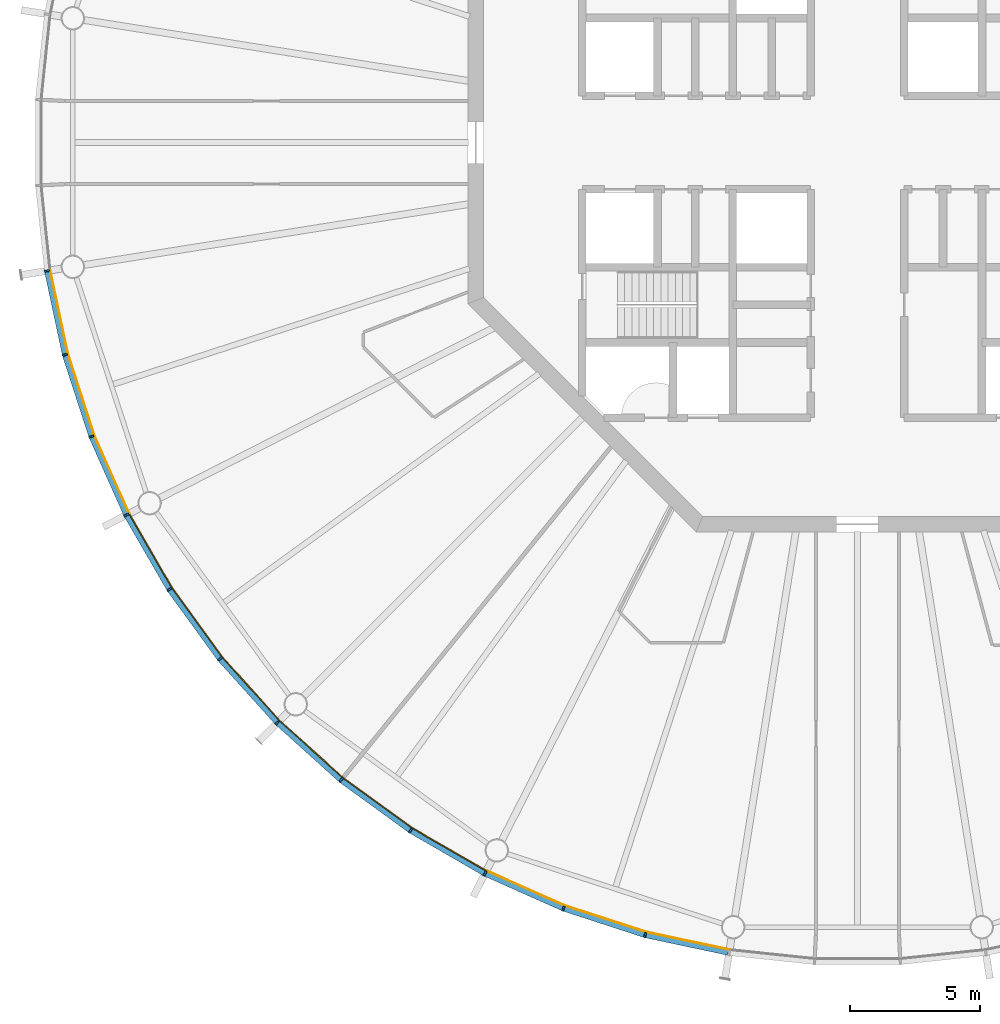
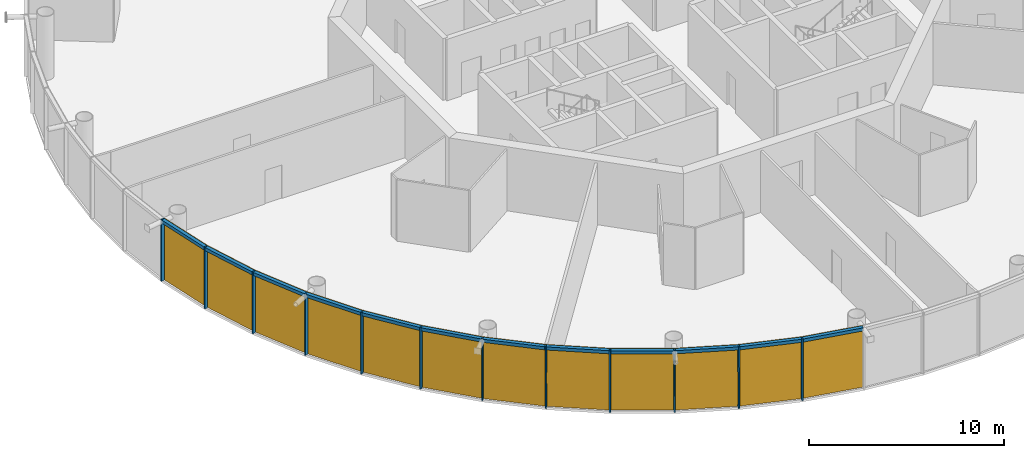
# One storey, part 13 of 19: 24 members, 4 curtain walls.
"""IFC4 building model written with IfcOpenShell, lengths in metres."""

from ifc_helpers import new_model, si_unit, direction, frame, origin, origin_2d, place, context, subcontext, project, spatial, polyline, rectangle, outline, extrude, material, layer, layer_set, material_profile, profile_set, type_object, element, aggregate, save


model = new_model("IFC4")

# Units and contexts
model_context = context("Model", 3, precision=1e-05, world=origin(), true_north=direction((0.0, 1.0)))
body_context = subcontext(model_context, "Body", "Model", "MODEL_VIEW")
ifc_project = project(units=[si_unit("LENGTHUNIT", "METRE"), si_unit("AREAUNIT", "SQUARE_METRE"), si_unit("VOLUMEUNIT", "CUBIC_METRE"), si_unit("PLANEANGLEUNIT", "RADIAN"), si_unit("MASSUNIT", "GRAM", prefix="KILO")], contexts=[model_context])

# Member
ifc_material_1 = material(Name="Anodised aluminium", Category="aluminium")
ifc_material_profile_1 = material_profile(ifc_material_1, rectangle(XDim=0.070068359375, YDim=0.205078125, at=origin_2d()), Name="Mullion 70 x 205 mm anodised aluminium")
ifc_profile_set_1 = profile_set([ifc_material_profile_1], Name="Anodised aluminium")
member_type_1 = type_object("IfcMemberType", Name="Mullion 70 x 205 mm anodised aluminium", PredefinedType="MULLION", material=ifc_profile_set_1)
site_placement = place(None, origin())
building_placement = place(site_placement, origin())
storey_placement = place(building_placement, frame((0.0, 0.0, 368.0)))
member_1_placement = place(storey_placement, frame((58.78662109375, 75.056396484375, 0.0), z_axis=(0.0, 0.0, 1.0), x_axis=(0.15643446504, -0.987688340595, 0.0)))
member_1 = element("IfcMember", 1, at=member_1_placement, type_object=member_type_1, Name="MULLION L85-30", PredefinedType="MULLION", context=body_context, shape_type="SweptSolid", body=[
    extrude(rectangle(XDim=0.070068359375, YDim=0.205078125, at=origin_2d()), origin(), (0.0, 0.0, 1.0), 3.85009765625),
])

member_2_placement = place(storey_placement, frame((59.474365234375, 71.820556640625, 0.0), z_axis=(0.0, 0.0, 1.0), x_axis=(0.258819045103, -0.965925826289, 0.0)))
member_2 = element("IfcMember", 2, at=member_2_placement, type_object=member_type_1, Name="MULLION L85-31", PredefinedType="MULLION", context=body_context, shape_type="SweptSolid", body=[
    extrude(rectangle(XDim=0.070068359375, YDim=0.205078125, at=origin_2d()), origin(), (0.0, 0.0, 1.0), 3.85009765625),
])

member_3_placement = place(storey_placement, frame((60.49658203125, 68.674560546875, 0.0), z_axis=(0.0, 0.0, 1.0), x_axis=(0.358367949545, -0.933580426497, 0.0)))
member_3 = element("IfcMember", 3, at=member_3_placement, type_object=member_type_1, Name="MULLION L85-32", PredefinedType="MULLION", context=body_context, shape_type="SweptSolid", body=[
    extrude(rectangle(XDim=0.070068359375, YDim=0.205078125, at=origin_2d()), origin(), (0.0, 0.0, 1.0), 3.85009765625),
])

member_4_placement = place(storey_placement, frame((61.842041015625, 65.65283203125, 0.0), z_axis=(0.0, 0.0, 1.0), x_axis=(0.45399049974, -0.891006524188, 0.0)))
member_4 = element("IfcMember", 4, at=member_4_placement, type_object=member_type_1, Name="MULLION L85-33", PredefinedType="MULLION", context=body_context, shape_type="SweptSolid", body=[
    extrude(rectangle(XDim=0.070068359375, YDim=0.205078125, at=origin_2d()), origin(), (0.0, 0.0, 1.0), 3.85009765625),
])

member_5_placement = place(storey_placement, frame((63.495849609375, 62.7880859375, 0.0), z_axis=(0.0, 0.0, 1.0), x_axis=(0.544639035015, -0.838670567945, 0.0)))
member_5 = element("IfcMember", 5, at=member_5_placement, type_object=member_type_1, Name="MULLION L85-34", PredefinedType="MULLION", context=body_context, shape_type="SweptSolid", body=[
    extrude(rectangle(XDim=0.070068359375, YDim=0.205078125, at=origin_2d()), origin(), (0.0, 0.0, 1.0), 3.85009765625),
])

member_6_placement = place(storey_placement, frame((65.440185546875, 60.11181640625, 0.0), z_axis=(0.0, 0.0, 1.0), x_axis=(0.62932039105, -0.777145961457, 0.0)))
member_6 = element("IfcMember", 6, at=member_6_placement, type_object=member_type_1, Name="MULLION L85-35", PredefinedType="MULLION", context=body_context, shape_type="SweptSolid", body=[
    extrude(rectangle(XDim=0.070068359375, YDim=0.205078125, at=origin_2d()), origin(), (0.0, 0.0, 1.0), 3.85009765625),
])

member_7_placement = place(storey_placement, frame((67.653564453125, 57.653564453125, 0.0), z_axis=(0.0, 0.0, 1.0), x_axis=(0.707106781187, -0.707106781187, 0.0)))
member_7 = element("IfcMember", 7, at=member_7_placement, type_object=member_type_1, Name="MULLION L85-36", PredefinedType="MULLION", context=body_context, shape_type="SweptSolid", body=[
    extrude(rectangle(XDim=0.070068359375, YDim=0.205078125, at=origin_2d()), origin(), (0.0, 0.0, 1.0), 3.85009765625),
])

member_8_placement = place(storey_placement, frame((70.11181640625, 55.440185546875, 0.0), z_axis=(0.0, 0.0, 1.0), x_axis=(0.777145961457, -0.62932039105, 0.0)))
member_8 = element("IfcMember", 8, at=member_8_placement, type_object=member_type_1, Name="MULLION L85-37", PredefinedType="MULLION", context=body_context, shape_type="SweptSolid", body=[
    extrude(rectangle(XDim=0.070068359375, YDim=0.205078125, at=origin_2d()), origin(), (0.0, 0.0, 1.0), 3.85009765625),
])

member_9_placement = place(storey_placement, frame((72.7880859375, 53.495849609375, 0.0), z_axis=(0.0, 0.0, 1.0), x_axis=(0.838670567945, -0.544639035015, 0.0)))
member_9 = element("IfcMember", 9, at=member_9_placement, type_object=member_type_1, Name="MULLION L85-38", PredefinedType="MULLION", context=body_context, shape_type="SweptSolid", body=[
    extrude(rectangle(XDim=0.070068359375, YDim=0.205078125, at=origin_2d()), origin(), (0.0, 0.0, 1.0), 3.85009765625),
])

member_10_placement = place(storey_placement, frame((75.65283203125, 51.842041015625, 0.0), z_axis=(0.0, 0.0, 1.0), x_axis=(0.891006524188, -0.45399049974, 0.0)))
member_10 = element("IfcMember", 10, at=member_10_placement, type_object=member_type_1, Name="MULLION L85-39", PredefinedType="MULLION", context=body_context, shape_type="SweptSolid", body=[
    extrude(rectangle(XDim=0.070068359375, YDim=0.205078125, at=origin_2d()), origin(), (0.0, 0.0, 1.0), 3.85009765625),
])

member_11_placement = place(storey_placement, frame((78.674560546875, 50.49658203125, 0.0), z_axis=(0.0, 0.0, 1.0), x_axis=(0.933580426497, -0.358367949545, 0.0)))
member_11 = element("IfcMember", 11, at=member_11_placement, type_object=member_type_1, Name="MULLION L85-40", PredefinedType="MULLION", context=body_context, shape_type="SweptSolid", body=[
    extrude(rectangle(XDim=0.070068359375, YDim=0.205078125, at=origin_2d()), origin(), (0.0, 0.0, 1.0), 3.85009765625),
])

member_12_placement = place(storey_placement, frame((81.820556640625, 49.474365234375, 0.0), z_axis=(0.0, 0.0, 1.0), x_axis=(0.965925826289, -0.258819045103, 0.0)))
member_12 = element("IfcMember", 12, at=member_12_placement, type_object=member_type_1, Name="MULLION L85-41", PredefinedType="MULLION", context=body_context, shape_type="SweptSolid", body=[
    extrude(rectangle(XDim=0.070068359375, YDim=0.205078125, at=origin_2d()), origin(), (0.0, 0.0, 1.0), 3.85009765625),
])

ifc_material_2 = material(Name="Anodised aluminium", Category="aluminium")
ifc_material_profile_2 = material_profile(ifc_material_2, rectangle(XDim=0.205078125, YDim=0.195068359375, at=origin_2d()), Name="Transom 195 x 205 mm anodised aluminium")
ifc_profile_set_2 = profile_set([ifc_material_profile_2], Name="Anodised aluminium")
member_type_2 = type_object("IfcMemberType", Name="Transom 195 x 205 mm anodised aluminium", PredefinedType="USERDEFINED", material=ifc_profile_set_2)
member_13_placement = place(storey_placement, frame((58.794921875, 75.016845703125, 3.75244140625), z_axis=(0.207885898771, -0.978153082647, 0.0), x_axis=(0.978153082647, 0.207885898771, 0.0)))
member_13 = element("IfcMember", 13, at=member_13_placement, type_object=member_type_2, Name="TRANSOM L85-30", ObjectType="TRANSOM", PredefinedType="USERDEFINED", context=body_context, shape_type="SweptSolid", body=[
    extrude(rectangle(XDim=0.205078125, YDim=0.195068359375, at=origin_2d()), origin(), (0.0, 0.0, 1.0), 3.227294921875),
])

member_14_placement = place(storey_placement, frame((59.486572265625, 71.7822265625, 3.75244140625), z_axis=(0.309046726844, -0.951046855117, 0.0), x_axis=(0.951046855117, 0.309046726844, 0.0)))
member_14 = element("IfcMember", 14, at=member_14_placement, type_object=member_type_2, Name="TRANSOM L85-31", ObjectType="TRANSOM", PredefinedType="USERDEFINED", context=body_context, shape_type="SweptSolid", body=[
    extrude(rectangle(XDim=0.205078125, YDim=0.195068359375, at=origin_2d()), origin(), (0.0, 0.0, 1.0), 3.22705078125),
])

member_15_placement = place(storey_placement, frame((60.5126953125, 68.6376953125, 3.75244140625), z_axis=(0.406791170024, -0.913521178731, 0.0), x_axis=(0.913521178731, 0.406791170024, 0.0)))
member_15 = element("IfcMember", 15, at=member_15_placement, type_object=member_type_2, Name="TRANSOM L85-32", ObjectType="TRANSOM", PredefinedType="USERDEFINED", context=body_context, shape_type="SweptSolid", body=[
    extrude(rectangle(XDim=0.205078125, YDim=0.195068359375, at=origin_2d()), origin(), (0.0, 0.0, 1.0), 3.22705078125),
])

member_16_placement = place(storey_placement, frame((61.862060546875, 65.61767578125, 3.75244140625), z_axis=(0.500004055213, -0.866023062494, 0.0), x_axis=(0.866023062494, 0.500004055213, 0.0)))
member_16 = element("IfcMember", 16, at=member_16_placement, type_object=member_type_2, Name="TRANSOM L85-33", ObjectType="TRANSOM", PredefinedType="USERDEFINED", context=body_context, shape_type="SweptSolid", body=[
    extrude(rectangle(XDim=0.205078125, YDim=0.195068359375, at=origin_2d()), origin(), (0.0, 0.0, 1.0), 3.22705078125),
])

member_17_placement = place(storey_placement, frame((63.51953125, 62.75537109375, 3.75244140625), z_axis=(0.587802790201, -0.809004252048, 0.0), x_axis=(0.809004252048, 0.587802790201, 0.0)))
member_17 = element("IfcMember", 17, at=member_17_placement, type_object=member_type_2, Name="TRANSOM L85-34", ObjectType="TRANSOM", PredefinedType="USERDEFINED", context=body_context, shape_type="SweptSolid", body=[
    extrude(rectangle(XDim=0.205078125, YDim=0.195068359375, at=origin_2d()), origin(), (0.0, 0.0, 1.0), 3.227294921875),
])

member_18_placement = place(storey_placement, frame((65.467041015625, 60.081787109375, 3.75244140625), z_axis=(0.669144438484, -0.743132370743, 0.0), x_axis=(0.743132370743, 0.669144438484, 0.0)))
member_18 = element("IfcMember", 18, at=member_18_placement, type_object=member_type_2, Name="TRANSOM L85-35", ObjectType="TRANSOM", PredefinedType="USERDEFINED", context=body_context, shape_type="SweptSolid", body=[
    extrude(rectangle(XDim=0.205078125, YDim=0.195068359375, at=origin_2d()), origin(), (0.0, 0.0, 1.0), 3.22705078125),
])

member_19_placement = place(storey_placement, frame((67.68359375, 57.62646484375, 3.75244140625), z_axis=(0.743132370743, -0.669144438484, 0.0), x_axis=(0.669144438484, 0.743132370743, 0.0)))
member_19 = element("IfcMember", 19, at=member_19_placement, type_object=member_type_2, Name="TRANSOM L85-36", ObjectType="TRANSOM", PredefinedType="USERDEFINED", context=body_context, shape_type="SweptSolid", body=[
    extrude(rectangle(XDim=0.205078125, YDim=0.195068359375, at=origin_2d()), origin(), (0.0, 0.0, 1.0), 3.22705078125),
])

member_20_placement = place(storey_placement, frame((70.14453125, 55.41650390625, 3.75244140625), z_axis=(0.809004252048, -0.587802790201, 0.0), x_axis=(0.587802790201, 0.809004252048, 0.0)))
member_20 = element("IfcMember", 20, at=member_20_placement, type_object=member_type_2, Name="TRANSOM L85-37", ObjectType="TRANSOM", PredefinedType="USERDEFINED", context=body_context, shape_type="SweptSolid", body=[
    extrude(rectangle(XDim=0.205078125, YDim=0.195068359375, at=origin_2d()), origin(), (0.0, 0.0, 1.0), 3.227294921875),
])

member_21_placement = place(storey_placement, frame((72.822998046875, 53.4755859375, 3.75244140625), z_axis=(0.866023062494, -0.500004055213, 0.0), x_axis=(0.500004055213, 0.866023062494, 0.0)))
member_21 = element("IfcMember", 21, at=member_21_placement, type_object=member_type_2, Name="TRANSOM L85-38", ObjectType="TRANSOM", PredefinedType="USERDEFINED", context=body_context, shape_type="SweptSolid", body=[
    extrude(rectangle(XDim=0.205078125, YDim=0.195068359375, at=origin_2d()), origin(), (0.0, 0.0, 1.0), 3.22705078125),
])

member_22_placement = place(storey_placement, frame((75.689697265625, 51.825439453125, 3.75244140625), z_axis=(0.913521178731, -0.406791170024, 0.0), x_axis=(0.406791170024, 0.913521178731, 0.0)))
member_22 = element("IfcMember", 22, at=member_22_placement, type_object=member_type_2, Name="TRANSOM L85-39", ObjectType="TRANSOM", PredefinedType="USERDEFINED", context=body_context, shape_type="SweptSolid", body=[
    extrude(rectangle(XDim=0.205078125, YDim=0.195068359375, at=origin_2d()), origin(), (0.0, 0.0, 1.0), 3.22705078125),
])

member_23_placement = place(storey_placement, frame((78.713134765625, 50.48388671875, 3.75244140625), z_axis=(0.951046855117, -0.309046726844, 0.0), x_axis=(0.309046726844, 0.951046855117, 0.0)))
member_23 = element("IfcMember", 23, at=member_23_placement, type_object=member_type_2, Name="TRANSOM L85-40", ObjectType="TRANSOM", PredefinedType="USERDEFINED", context=body_context, shape_type="SweptSolid", body=[
    extrude(rectangle(XDim=0.205078125, YDim=0.195068359375, at=origin_2d()), origin(), (0.0, 0.0, 1.0), 3.22705078125),
])

member_24_placement = place(storey_placement, frame((81.860107421875, 49.4658203125, 3.75244140625), z_axis=(0.978153082647, -0.207885898771, 0.0), x_axis=(0.207885898771, 0.978153082647, 0.0)))
member_24 = element("IfcMember", 24, at=member_24_placement, type_object=member_type_2, Name="TRANSOM L85-41", ObjectType="TRANSOM", PredefinedType="USERDEFINED", context=body_context, shape_type="SweptSolid", body=[
    extrude(rectangle(XDim=0.205078125, YDim=0.195068359375, at=origin_2d()), origin(), (0.0, 0.0, 1.0), 3.227294921875),
])

# Site, building, storey
site = spatial("IfcSite", under=ifc_project, at=site_placement, CompositionType="ELEMENT")
building = spatial("IfcBuilding", under=site, at=building_placement, Name="Entoto Ring Tower", CompositionType="ELEMENT")
storey = spatial("IfcBuildingStorey", under=building, at=storey_placement, Name="L85", CompositionType="ELEMENT", Elevation=368.0)

# Curtain wall
ifc_material_3 = material(Name="Clear low-iron glass", Category="glass")
ifc_layer = layer(ifc_material_3, 0.035888671875)
ifc_layer_set = layer_set([ifc_layer], Name="Clear low-iron glass")
curtain_wall_type = type_object("IfcCurtainWallType", Name="Curtain wall system CW6 glazing 36 mm", PredefinedType="NOTDEFINED", material=ifc_layer_set)
curtain_wall_1_placement = place(storey_placement, origin())
curtain_wall_1 = element("IfcCurtainWall", 25, at=curtain_wall_1_placement, inside=storey, type_object=curtain_wall_type, Name="CW6 L85-11", PredefinedType="NOTDEFINED", context=body_context, shape_type="SweptSolid", body=[
    extrude(outline(polyline([(58.8876953125, 75.072265625), (59.5732421875, 71.84716796875), (60.59228515625, 68.71142578125), (61.933349609375, 65.69921875), (61.96533203125, 65.715576171875), (60.6259765625, 68.724365234375), (59.608154296875, 71.8564453125), (58.92333984375, 75.077880859375), (58.8876953125, 75.072265625)])), origin(), (0.0, 0.0, 1.0), 3.85009765625),
])

aggregate(curtain_wall_1, [member_1, member_2, member_3, member_13, member_14, member_15])

curtain_wall_2_placement = place(storey_placement, origin())
curtain_wall_2 = element("IfcCurtainWall", 26, at=curtain_wall_2_placement, inside=storey, type_object=curtain_wall_type, Name="CW6 L85-12", PredefinedType="NOTDEFINED", context=body_context, shape_type="SweptSolid", body=[
    extrude(outline(polyline([(61.933349609375, 65.69921875), (63.581787109375, 62.84375), (65.52001953125, 60.176513671875), (67.72607421875, 57.72607421875), (67.751708984375, 57.751708984375), (65.5478515625, 60.198974609375), (63.612060546875, 62.863525390625), (61.96533203125, 65.715576171875), (61.933349609375, 65.69921875)])), origin(), (0.0, 0.0, 1.0), 3.85009765625),
])

aggregate(curtain_wall_2, [member_4, member_5, member_6, member_16, member_17, member_18])

curtain_wall_3_placement = place(storey_placement, origin())
curtain_wall_3 = element("IfcCurtainWall", 27, at=curtain_wall_3_placement, inside=storey, type_object=curtain_wall_type, Name="CW6 L85-13", PredefinedType="NOTDEFINED", context=body_context, shape_type="SweptSolid", body=[
    extrude(outline(polyline([(67.72607421875, 57.72607421875), (70.176513671875, 55.52001953125), (72.84375, 53.581787109375), (75.69921875, 51.933349609375), (75.715576171875, 51.96533203125), (72.863525390625, 53.612060546875), (70.198974609375, 55.5478515625), (67.751708984375, 57.751708984375), (67.72607421875, 57.72607421875)])), origin(), (0.0, 0.0, 1.0), 3.85009765625),
])

aggregate(curtain_wall_3, [member_7, member_8, member_9, member_19, member_20, member_21])

curtain_wall_4_placement = place(storey_placement, origin())
curtain_wall_4 = element("IfcCurtainWall", 28, at=curtain_wall_4_placement, inside=storey, type_object=curtain_wall_type, Name="CW6 L85-14", PredefinedType="NOTDEFINED", context=body_context, shape_type="SweptSolid", body=[
    extrude(outline(polyline([(75.69921875, 51.933349609375), (78.71142578125, 50.59228515625), (81.84716796875, 49.5732421875), (85.072265625, 48.8876953125), (85.077880859375, 48.92333984375), (81.8564453125, 49.608154296875), (78.724365234375, 50.6259765625), (75.715576171875, 51.96533203125), (75.69921875, 51.933349609375)])), origin(), (0.0, 0.0, 1.0), 3.85009765625),
])

aggregate(curtain_wall_4, [member_10, member_11, member_12, member_22, member_23, member_24])

save(model, "model.ifc")
